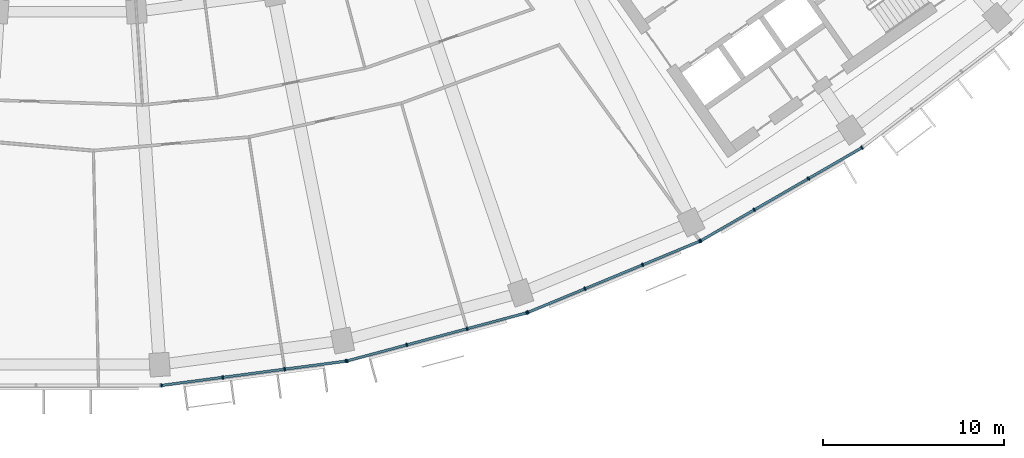
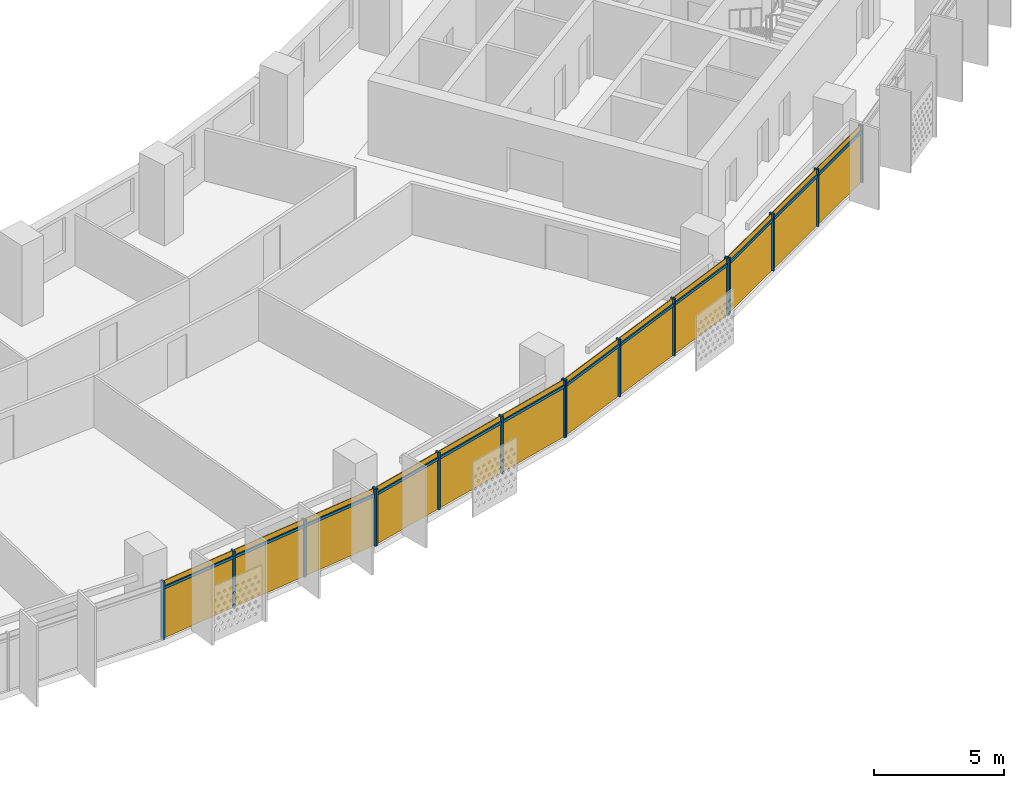
# One storey, part 19 of 27: 28 members, 4 curtain walls.
"""IFC4 building model written with IfcOpenShell, lengths in metres."""

from ifc_helpers import new_model, si_unit, direction, frame, origin, origin_2d, place, context, subcontext, project, spatial, rectangle, extrude, material, material_profile, profile_set, type_object, element, aggregate, save


model = new_model("IFC4")

# Units and contexts
model_context = context("Model", 3, precision=1e-05, world=origin(), true_north=direction((0.0, 1.0)))
body_context = subcontext(model_context, "Body", "Model", "MODEL_VIEW")
ifc_project = project(units=[si_unit("LENGTHUNIT", "METRE"), si_unit("AREAUNIT", "SQUARE_METRE"), si_unit("VOLUMEUNIT", "CUBIC_METRE"), si_unit("PLANEANGLEUNIT", "RADIAN"), si_unit("MASSUNIT", "GRAM", prefix="KILO")], contexts=[model_context])

# Member
ifc_material = material(Name="Aluminium 6063-T6 anodised", Category="aluminium")
ifc_material_profile_1 = material_profile(ifc_material, rectangle(XDim=0.199951171875, YDim=0.070068359375, at=origin_2d()))
ifc_profile_set_1 = profile_set([ifc_material_profile_1], Name="Aluminium 6063-T6 anodised")
member_type_1 = type_object("IfcMemberType", Name="Mullion 70 x 200 aluminium", PredefinedType="MULLION", material=ifc_profile_set_1)
site_placement = place(None, origin())
building_placement = place(site_placement, origin())
storey_placement = place(building_placement, frame((0.0, 0.0, 191.10009765625)))
member_1_placement = place(storey_placement, frame((5.1884765625, -78.72705078125, 0.0), z_axis=(0.0, 0.0, 1.0), x_axis=(-0.13052619222, 0.991444861374, 0.0)))
member_1 = element("IfcMember", 1, at=member_1_placement, type_object=member_type_1, Name="e-cw1-L45-out08/M00", PredefinedType="MULLION", context=body_context, shape_type="SweptSolid", body=[
    extrude(rectangle(XDim=0.199951171875, YDim=0.070068359375, at=origin_2d()), origin(), (0.0, 0.0, 1.0), 2.699951171875),
])

member_2_placement = place(storey_placement, frame((8.56884765625, -78.2822265625, 0.0), z_axis=(0.0, 0.0, 1.0), x_axis=(-0.13052619222, 0.991444861374, 0.0)))
member_2 = element("IfcMember", 2, at=member_2_placement, type_object=member_type_1, Name="e-cw1-L45-out08/M01", PredefinedType="MULLION", context=body_context, shape_type="SweptSolid", body=[
    extrude(rectangle(XDim=0.199951171875, YDim=0.070068359375, at=origin_2d()), origin(), (0.0, 0.0, 1.0), 2.699951171875),
])

member_3_placement = place(storey_placement, frame((11.98388671875, -77.83251953125, 0.0), z_axis=(0.0, 0.0, 1.0), x_axis=(-0.13052619222, 0.991444861374, 0.0)))
member_3 = element("IfcMember", 3, at=member_3_placement, type_object=member_type_1, Name="e-cw1-L45-out08/M02", PredefinedType="MULLION", context=body_context, shape_type="SweptSolid", body=[
    extrude(rectangle(XDim=0.199951171875, YDim=0.070068359375, at=origin_2d()), origin(), (0.0, 0.0, 1.0), 2.699951171875),
])

member_4_placement = place(storey_placement, frame((15.364501953125, -77.387451171875, 0.0), z_axis=(0.0, 0.0, 1.0), x_axis=(-0.13052619222, 0.991444861374, 0.0)))
member_4 = element("IfcMember", 4, at=member_4_placement, type_object=member_type_1, Name="e-cw1-L45-out08/M03", PredefinedType="MULLION", context=body_context, shape_type="SweptSolid", body=[
    extrude(rectangle(XDim=0.199951171875, YDim=0.070068359375, at=origin_2d()), origin(), (0.0, 0.0, 1.0), 2.699951171875),
])

member_5_placement = place(storey_placement, frame((15.420166015625, -77.37646484375, 0.0), z_axis=(0.0, 0.0, 1.0), x_axis=(-0.258819045103, 0.965925826289, 0.0)))
member_5 = element("IfcMember", 5, at=member_5_placement, type_object=member_type_1, Name="e-cw1-L45-out09/M00", PredefinedType="MULLION", context=body_context, shape_type="SweptSolid", body=[
    extrude(rectangle(XDim=0.199951171875, YDim=0.070068359375, at=origin_2d()), origin(), (0.0, 0.0, 1.0), 2.699951171875),
])

member_6_placement = place(storey_placement, frame((18.71337890625, -76.493896484375, 0.0), z_axis=(0.0, 0.0, 1.0), x_axis=(-0.258819045103, 0.965925826289, 0.0)))
member_6 = element("IfcMember", 6, at=member_6_placement, type_object=member_type_1, Name="e-cw1-L45-out09/M01", PredefinedType="MULLION", context=body_context, shape_type="SweptSolid", body=[
    extrude(rectangle(XDim=0.199951171875, YDim=0.070068359375, at=origin_2d()), origin(), (0.0, 0.0, 1.0), 2.699951171875),
])

member_7_placement = place(storey_placement, frame((22.04052734375, -75.602294921875, 0.0), z_axis=(0.0, 0.0, 1.0), x_axis=(-0.258819045103, 0.965925826289, 0.0)))
member_7 = element("IfcMember", 7, at=member_7_placement, type_object=member_type_1, Name="e-cw1-L45-out09/M02", PredefinedType="MULLION", context=body_context, shape_type="SweptSolid", body=[
    extrude(rectangle(XDim=0.199951171875, YDim=0.070068359375, at=origin_2d()), origin(), (0.0, 0.0, 1.0), 2.699951171875),
])

member_8_placement = place(storey_placement, frame((25.333984375, -74.719970703125, 0.0), z_axis=(0.0, 0.0, 1.0), x_axis=(-0.258819045103, 0.965925826289, 0.0)))
member_8 = element("IfcMember", 8, at=member_8_placement, type_object=member_type_1, Name="e-cw1-L45-out09/M03", PredefinedType="MULLION", context=body_context, shape_type="SweptSolid", body=[
    extrude(rectangle(XDim=0.199951171875, YDim=0.070068359375, at=origin_2d()), origin(), (0.0, 0.0, 1.0), 2.699951171875),
])

member_9_placement = place(storey_placement, frame((25.3876953125, -74.70166015625, 0.0), z_axis=(0.0, 0.0, 1.0), x_axis=(-0.382683432365, 0.923879532511, 0.0)))
member_9 = element("IfcMember", 9, at=member_9_placement, type_object=member_type_1, Name="e-cw1-L45-out10/M00", PredefinedType="MULLION", context=body_context, shape_type="SweptSolid", body=[
    extrude(rectangle(XDim=0.199951171875, YDim=0.070068359375, at=origin_2d()), origin(), (0.0, 0.0, 1.0), 2.699951171875),
])

member_10_placement = place(storey_placement, frame((28.537841796875, -73.39697265625, 0.0), z_axis=(0.0, 0.0, 1.0), x_axis=(-0.382683432365, 0.923879532511, 0.0)))
member_10 = element("IfcMember", 10, at=member_10_placement, type_object=member_type_1, Name="e-cw1-L45-out10/M01", PredefinedType="MULLION", context=body_context, shape_type="SweptSolid", body=[
    extrude(rectangle(XDim=0.199951171875, YDim=0.070068359375, at=origin_2d()), origin(), (0.0, 0.0, 1.0), 2.699951171875),
])

member_11_placement = place(storey_placement, frame((31.72021484375, -72.078857421875, 0.0), z_axis=(0.0, 0.0, 1.0), x_axis=(-0.382683432365, 0.923879532511, 0.0)))
member_11 = element("IfcMember", 11, at=member_11_placement, type_object=member_type_1, Name="e-cw1-L45-out10/M02", PredefinedType="MULLION", context=body_context, shape_type="SweptSolid", body=[
    extrude(rectangle(XDim=0.199951171875, YDim=0.070068359375, at=origin_2d()), origin(), (0.0, 0.0, 1.0), 2.699951171875),
])

member_12_placement = place(storey_placement, frame((34.8701171875, -70.77392578125, 0.0), z_axis=(0.0, 0.0, 1.0), x_axis=(-0.382683432365, 0.923879532511, 0.0)))
member_12 = element("IfcMember", 12, at=member_12_placement, type_object=member_type_1, Name="e-cw1-L45-out10/M03", PredefinedType="MULLION", context=body_context, shape_type="SweptSolid", body=[
    extrude(rectangle(XDim=0.199951171875, YDim=0.070068359375, at=origin_2d()), origin(), (0.0, 0.0, 1.0), 2.699951171875),
])

member_13_placement = place(storey_placement, frame((34.921142578125, -70.748779296875, 0.0), z_axis=(0.0, 0.0, 1.0), x_axis=(-0.5, 0.866025403784, 0.0)))
member_13 = element("IfcMember", 13, at=member_13_placement, type_object=member_type_1, Name="e-cw1-L45-out11/M00", PredefinedType="MULLION", context=body_context, shape_type="SweptSolid", body=[
    extrude(rectangle(XDim=0.199951171875, YDim=0.070068359375, at=origin_2d()), origin(), (0.0, 0.0, 1.0), 2.699951171875),
])

member_14_placement = place(storey_placement, frame((37.873779296875, -69.0439453125, 0.0), z_axis=(0.0, 0.0, 1.0), x_axis=(-0.5, 0.866025403784, 0.0)))
member_14 = element("IfcMember", 14, at=member_14_placement, type_object=member_type_1, Name="e-cw1-L45-out11/M01", PredefinedType="MULLION", context=body_context, shape_type="SweptSolid", body=[
    extrude(rectangle(XDim=0.199951171875, YDim=0.070068359375, at=origin_2d()), origin(), (0.0, 0.0, 1.0), 2.699951171875),
])

member_15_placement = place(storey_placement, frame((40.85693359375, -67.32177734375, 0.0), z_axis=(0.0, 0.0, 1.0), x_axis=(-0.5, 0.866025403784, 0.0)))
member_15 = element("IfcMember", 15, at=member_15_placement, type_object=member_type_1, Name="e-cw1-L45-out11/M02", PredefinedType="MULLION", context=body_context, shape_type="SweptSolid", body=[
    extrude(rectangle(XDim=0.199951171875, YDim=0.070068359375, at=origin_2d()), origin(), (0.0, 0.0, 1.0), 2.699951171875),
])

member_16_placement = place(storey_placement, frame((43.809814453125, -65.616943359375, 0.0), z_axis=(0.0, 0.0, 1.0), x_axis=(-0.5, 0.866025403784, 0.0)))
member_16 = element("IfcMember", 16, at=member_16_placement, type_object=member_type_1, Name="e-cw1-L45-out11/M03", PredefinedType="MULLION", context=body_context, shape_type="SweptSolid", body=[
    extrude(rectangle(XDim=0.199951171875, YDim=0.070068359375, at=origin_2d()), origin(), (0.0, 0.0, 1.0), 2.699951171875),
])

ifc_material_profile_2 = material_profile(ifc_material, rectangle(XDim=0.139892578125, YDim=0.1201171875, at=origin_2d()))
ifc_profile_set_2 = profile_set([ifc_material_profile_2], Name="Aluminium 6063-T6 anodised")
member_type_2 = type_object("IfcMemberType", Name="Transom 120 x 140 aluminium", PredefinedType="USERDEFINED", material=ifc_profile_set_2)
member_17_placement = place(storey_placement, frame((5.22314453125, -78.72265625, 2.39990234375), z_axis=(0.991439857731, 0.130564193033, 0.0), x_axis=(-0.130564193033, 0.991439857731, 0.0)))
member_17 = element("IfcMember", 17, at=member_17_placement, type_object=member_type_2, Name="e-cw1-L45-out08/T00", ObjectType="TRANSOM", PredefinedType="USERDEFINED", context=body_context, shape_type="SweptSolid", body=[
    extrude(rectangle(XDim=0.139892578125, YDim=0.1201171875, at=origin_2d()), origin(), (0.0, 0.0, 1.0), 3.339599609375),
])

member_18_placement = place(storey_placement, frame((8.603515625, -78.277587890625, 2.39990234375), z_axis=(0.991446413845, 0.130514399487, 0.0), x_axis=(-0.130514399487, 0.991446413845, 0.0)))
member_18 = element("IfcMember", 18, at=member_18_placement, type_object=member_type_2, Name="e-cw1-L45-out08/T01", ObjectType="TRANSOM", PredefinedType="USERDEFINED", context=body_context, shape_type="SweptSolid", body=[
    extrude(rectangle(XDim=0.139892578125, YDim=0.1201171875, at=origin_2d()), origin(), (0.0, 0.0, 1.0), 3.37451171875),
])

member_19_placement = place(storey_placement, frame((12.018798828125, -77.827880859375, 2.39990234375), z_axis=(0.991448073325, 0.130501792706, 0.0), x_axis=(-0.130501792706, 0.991448073325, 0.0)))
member_19 = element("IfcMember", 19, at=member_19_placement, type_object=member_type_2, Name="e-cw1-L45-out08/T02", ObjectType="TRANSOM", PredefinedType="USERDEFINED", context=body_context, shape_type="SweptSolid", body=[
    extrude(rectangle(XDim=0.139892578125, YDim=0.1201171875, at=origin_2d()), origin(), (0.0, 0.0, 1.0), 3.33935546875),
])

member_20_placement = place(storey_placement, frame((15.453857421875, -77.367431640625, 2.39990234375), z_axis=(0.96591509168, 0.258859103886, 0.0), x_axis=(-0.258859103886, 0.96591509168, 0.0)))
member_20 = element("IfcMember", 20, at=member_20_placement, type_object=member_type_2, Name="e-cw1-L45-out09/T00", ObjectType="TRANSOM", PredefinedType="USERDEFINED", context=body_context, shape_type="SweptSolid", body=[
    extrude(rectangle(XDim=0.139892578125, YDim=0.1201171875, at=origin_2d()), origin(), (0.0, 0.0, 1.0), 3.339599609375),
])

member_21_placement = place(storey_placement, frame((18.747314453125, -76.48486328125, 2.39990234375), z_axis=(0.965932873966, 0.258792741381, 0.0), x_axis=(-0.258792741381, 0.965932873966, 0.0)))
member_21 = element("IfcMember", 21, at=member_21_placement, type_object=member_type_2, Name="e-cw1-L45-out09/T01", ObjectType="TRANSOM", PredefinedType="USERDEFINED", context=body_context, shape_type="SweptSolid", body=[
    extrude(rectangle(XDim=0.139892578125, YDim=0.1201171875, at=origin_2d()), origin(), (0.0, 0.0, 1.0), 3.37451171875),
])

member_22_placement = place(storey_placement, frame((22.074462890625, -75.59326171875, 2.39990234375), z_axis=(0.965933368091, 0.258790897074, 0.0), x_axis=(-0.258790897074, 0.965933368091, 0.0)))
member_22 = element("IfcMember", 22, at=member_22_placement, type_object=member_type_2, Name="e-cw1-L45-out09/T02", ObjectType="TRANSOM", PredefinedType="USERDEFINED", context=body_context, shape_type="SweptSolid", body=[
    extrude(rectangle(XDim=0.139892578125, YDim=0.1201171875, at=origin_2d()), origin(), (0.0, 0.0, 1.0), 3.339599609375),
])

member_23_placement = place(storey_placement, frame((25.420166015625, -74.688232421875, 2.39990234375), z_axis=(0.923890305385, 0.382657423311, 0.0), x_axis=(-0.382657423311, 0.923890305385, 0.0)))
member_23 = element("IfcMember", 23, at=member_23_placement, type_object=member_type_2, Name="e-cw1-L45-out10/T00", ObjectType="TRANSOM", PredefinedType="USERDEFINED", context=body_context, shape_type="SweptSolid", body=[
    extrude(rectangle(XDim=0.139892578125, YDim=0.1201171875, at=origin_2d()), origin(), (0.0, 0.0, 1.0), 3.33935546875),
])

member_24_placement = place(storey_placement, frame((28.570068359375, -73.383544921875, 2.39990234375), z_axis=(0.923866926753, 0.382713863941, 0.0), x_axis=(-0.382713863941, 0.923866926753, 0.0)))
member_24 = element("IfcMember", 24, at=member_24_placement, type_object=member_type_2, Name="e-cw1-L45-out10/T01", ObjectType="TRANSOM", PredefinedType="USERDEFINED", context=body_context, shape_type="SweptSolid", body=[
    extrude(rectangle(XDim=0.139892578125, YDim=0.1201171875, at=origin_2d()), origin(), (0.0, 0.0, 1.0), 3.37451171875),
])

member_25_placement = place(storey_placement, frame((31.75244140625, -72.0654296875, 2.39990234375), z_axis=(0.923875164544, 0.382693977401, 0.0), x_axis=(-0.382693977401, 0.923875164544, 0.0)))
member_25 = element("IfcMember", 25, at=member_25_placement, type_object=member_type_2, Name="e-cw1-L45-out10/T02", ObjectType="TRANSOM", PredefinedType="USERDEFINED", context=body_context, shape_type="SweptSolid", body=[
    extrude(rectangle(XDim=0.139892578125, YDim=0.1201171875, at=origin_2d()), origin(), (0.0, 0.0, 1.0), 3.339599609375),
])

member_26_placement = place(storey_placement, frame((34.951416015625, -70.7314453125, 2.39990234375), z_axis=(0.866002968352, 0.500038857296, 0.0), x_axis=(-0.500038857296, 0.866002968352, 0.0)))
member_26 = element("IfcMember", 26, at=member_26_placement, type_object=member_type_2, Name="e-cw1-L45-out11/T00", ObjectType="TRANSOM", PredefinedType="USERDEFINED", context=body_context, shape_type="SweptSolid", body=[
    extrude(rectangle(XDim=0.139892578125, YDim=0.1201171875, at=origin_2d()), origin(), (0.0, 0.0, 1.0), 3.339599609375),
])

member_27_placement = place(storey_placement, frame((37.904296875, -69.026611328125, 2.39990234375), z_axis=(0.86602172966, 0.500006363716, 0.0), x_axis=(-0.500006363716, 0.86602172966, 0.0)))
member_27 = element("IfcMember", 27, at=member_27_placement, type_object=member_type_2, Name="e-cw1-L45-out11/T01", ObjectType="TRANSOM", PredefinedType="USERDEFINED", context=body_context, shape_type="SweptSolid", body=[
    extrude(rectangle(XDim=0.139892578125, YDim=0.1201171875, at=origin_2d()), origin(), (0.0, 0.0, 1.0), 3.37451171875),
])

member_28_placement = place(storey_placement, frame((40.88720703125, -67.30419921875, 2.39990234375), z_axis=(0.866052898888, 0.49995237406, 0.0), x_axis=(-0.49995237406, 0.866052898888, 0.0)))
member_28 = element("IfcMember", 28, at=member_28_placement, type_object=member_type_2, Name="e-cw1-L45-out11/T02", ObjectType="TRANSOM", PredefinedType="USERDEFINED", context=body_context, shape_type="SweptSolid", body=[
    extrude(rectangle(XDim=0.139892578125, YDim=0.1201171875, at=origin_2d()), origin(), (0.0, 0.0, 1.0), 3.339599609375),
])

# Site, building, storey
site = spatial("IfcSite", under=ifc_project, at=site_placement, CompositionType="ELEMENT")
building = spatial("IfcBuilding", under=site, at=building_placement, Name="Qamariyya Broadcast Tower", CompositionType="ELEMENT")
storey = spatial("IfcBuildingStorey", under=building, at=storey_placement, Name="L45", CompositionType="ELEMENT", Elevation=191.10009765625)

# Curtain wall
curtain_wall_type = type_object("IfcCurtainWallType", Name="Unitised curtain wall, anodised aluminium", PredefinedType="NOTDEFINED", material=ifc_material)
curtain_wall_1_placement = place(storey_placement, origin())
curtain_wall_1 = element("IfcCurtainWall", 29, at=curtain_wall_1_placement, inside=storey, type_object=curtain_wall_type, Name="e-cw1-L45-out08", PredefinedType="NOTDEFINED", context=body_context, shape_type="SweptSolid", body=[
    extrude(rectangle(XDim=3.339599609375, YDim=0.031982421875, at=origin_2d()), frame((6.878662109375, -78.504638671875, 0.0), x_axis=(0.991444240905, 0.130530905064, 0.0)), (0.0, 0.0, 1.0), 2.340087890625),
    extrude(rectangle(XDim=3.339599609375, YDim=0.031982421875, at=origin_2d()), frame((6.878662109375, -78.504638671875, 2.4599609375), x_axis=(0.991444240905, 0.130530905064, 0.0)), (0.0, 0.0, 1.0), 0.239990234375),
    extrude(rectangle(XDim=3.37451171875, YDim=0.031982421875, at=origin_2d()), frame((10.2763671875, -78.05712890625, 0.0), x_axis=(0.991444240905, 0.130530905064, 0.0)), (0.0, 0.0, 1.0), 2.340087890625),
    extrude(rectangle(XDim=3.37451171875, YDim=0.031982421875, at=origin_2d()), frame((10.2763671875, -78.05712890625, 2.4599609375), x_axis=(0.991444240905, 0.130530905064, 0.0)), (0.0, 0.0, 1.0), 0.239990234375),
    extrude(rectangle(XDim=3.339599609375, YDim=0.031982421875, at=origin_2d()), frame((13.67431640625, -77.60986328125, 0.0), x_axis=(0.991444240905, 0.130530905064, 0.0)), (0.0, 0.0, 1.0), 2.340087890625),
    extrude(rectangle(XDim=3.339599609375, YDim=0.031982421875, at=origin_2d()), frame((13.67431640625, -77.60986328125, 2.4599609375), x_axis=(0.991444240905, 0.130530905064, 0.0)), (0.0, 0.0, 1.0), 0.239990234375),
])

aggregate(curtain_wall_1, [member_1, member_2, member_3, member_4, member_17, member_18, member_19])

curtain_wall_2_placement = place(storey_placement, origin())
curtain_wall_2 = element("IfcCurtainWall", 30, at=curtain_wall_2_placement, inside=storey, type_object=curtain_wall_type, Name="e-cw1-L45-out09", PredefinedType="NOTDEFINED", context=body_context, shape_type="SweptSolid", body=[
    extrude(rectangle(XDim=3.339599609375, YDim=0.031982421875, at=origin_2d()), frame((17.066650390625, -76.935302734375, 0.0), x_axis=(0.965926433062, 0.258816780584, 0.0)), (0.0, 0.0, 1.0), 2.340087890625),
    extrude(rectangle(XDim=3.339599609375, YDim=0.031982421875, at=origin_2d()), frame((17.066650390625, -76.935302734375, 2.4599609375), x_axis=(0.965926433062, 0.258816780584, 0.0)), (0.0, 0.0, 1.0), 0.239990234375),
    extrude(rectangle(XDim=3.37451171875, YDim=0.031982421875, at=origin_2d()), frame((20.376953125, -76.04833984375, 0.0), x_axis=(0.965926433062, 0.258816780584, 0.0)), (0.0, 0.0, 1.0), 2.340087890625),
    extrude(rectangle(XDim=3.37451171875, YDim=0.031982421875, at=origin_2d()), frame((20.376953125, -76.04833984375, 2.4599609375), x_axis=(0.965926433062, 0.258816780584, 0.0)), (0.0, 0.0, 1.0), 0.239990234375),
    extrude(rectangle(XDim=3.339599609375, YDim=0.031982421875, at=origin_2d()), frame((23.6875, -75.1611328125, 0.0), x_axis=(0.965926433062, 0.258816780584, 0.0)), (0.0, 0.0, 1.0), 2.340087890625),
    extrude(rectangle(XDim=3.339599609375, YDim=0.031982421875, at=origin_2d()), frame((23.6875, -75.1611328125, 2.4599609375), x_axis=(0.965926433062, 0.258816780584, 0.0)), (0.0, 0.0, 1.0), 0.239990234375),
])

aggregate(curtain_wall_2, [member_5, member_6, member_7, member_8, member_20, member_21, member_22])

curtain_wall_3_placement = place(storey_placement, origin())
curtain_wall_3 = element("IfcCurtainWall", 31, at=curtain_wall_3_placement, inside=storey, type_object=curtain_wall_type, Name="e-cw1-L45-out10", PredefinedType="NOTDEFINED", context=body_context, shape_type="SweptSolid", body=[
    extrude(rectangle(XDim=3.339599609375, YDim=0.031982421875, at=origin_2d()), frame((26.962890625, -74.04931640625, 0.0), x_axis=(0.923878040314, 0.382687034829, 0.0)), (0.0, 0.0, 1.0), 2.340087890625),
    extrude(rectangle(XDim=3.339599609375, YDim=0.031982421875, at=origin_2d()), frame((26.962890625, -74.04931640625, 2.4599609375), x_axis=(0.923878040314, 0.382687034829, 0.0)), (0.0, 0.0, 1.0), 0.239990234375),
    extrude(rectangle(XDim=3.37451171875, YDim=0.031982421875, at=origin_2d()), frame((30.12890625, -72.73779296875, 0.0), x_axis=(0.923878040314, 0.382687034829, 0.0)), (0.0, 0.0, 1.0), 2.340087890625),
    extrude(rectangle(XDim=3.37451171875, YDim=0.031982421875, at=origin_2d()), frame((30.12890625, -72.73779296875, 2.4599609375), x_axis=(0.923878040314, 0.382687034829, 0.0)), (0.0, 0.0, 1.0), 0.239990234375),
    extrude(rectangle(XDim=3.339599609375, YDim=0.031982421875, at=origin_2d()), frame((33.295166015625, -71.42626953125, 0.0), x_axis=(0.923878040314, 0.382687034829, 0.0)), (0.0, 0.0, 1.0), 2.340087890625),
    extrude(rectangle(XDim=3.339599609375, YDim=0.031982421875, at=origin_2d()), frame((33.295166015625, -71.42626953125, 2.4599609375), x_axis=(0.923878040314, 0.382687034829, 0.0)), (0.0, 0.0, 1.0), 0.239990234375),
])

aggregate(curtain_wall_3, [member_9, member_10, member_11, member_12, member_23, member_24, member_25])

curtain_wall_4_placement = place(storey_placement, origin())
curtain_wall_4 = element("IfcCurtainWall", 32, at=curtain_wall_4_placement, inside=storey, type_object=curtain_wall_type, Name="e-cw1-L45-out11", PredefinedType="NOTDEFINED", context=body_context, shape_type="SweptSolid", body=[
    extrude(rectangle(XDim=3.339599609375, YDim=0.031982421875, at=origin_2d()), frame((36.3974609375, -69.896484375, 0.0), x_axis=(0.866028999376, 0.499993772201, 0.0)), (0.0, 0.0, 1.0), 2.340087890625),
    extrude(rectangle(XDim=3.339599609375, YDim=0.031982421875, at=origin_2d()), frame((36.3974609375, -69.896484375, 2.4599609375), x_axis=(0.866028999376, 0.499993772201, 0.0)), (0.0, 0.0, 1.0), 0.239990234375),
    extrude(rectangle(XDim=3.37451171875, YDim=0.031982421875, at=origin_2d()), frame((39.365478515625, -68.18310546875, 0.0), x_axis=(0.866028999376, 0.499993772201, 0.0)), (0.0, 0.0, 1.0), 2.340087890625),
    extrude(rectangle(XDim=3.37451171875, YDim=0.031982421875, at=origin_2d()), frame((39.365478515625, -68.18310546875, 2.4599609375), x_axis=(0.866028999376, 0.499993772201, 0.0)), (0.0, 0.0, 1.0), 0.239990234375),
    extrude(rectangle(XDim=3.339599609375, YDim=0.031982421875, at=origin_2d()), frame((42.33349609375, -66.469482421875, 0.0), x_axis=(0.866028999376, 0.499993772201, 0.0)), (0.0, 0.0, 1.0), 2.340087890625),
    extrude(rectangle(XDim=3.339599609375, YDim=0.031982421875, at=origin_2d()), frame((42.33349609375, -66.469482421875, 2.4599609375), x_axis=(0.866028999376, 0.499993772201, 0.0)), (0.0, 0.0, 1.0), 0.239990234375),
])

aggregate(curtain_wall_4, [member_13, member_14, member_15, member_16, member_26, member_27, member_28])

save(model, "model.ifc")
